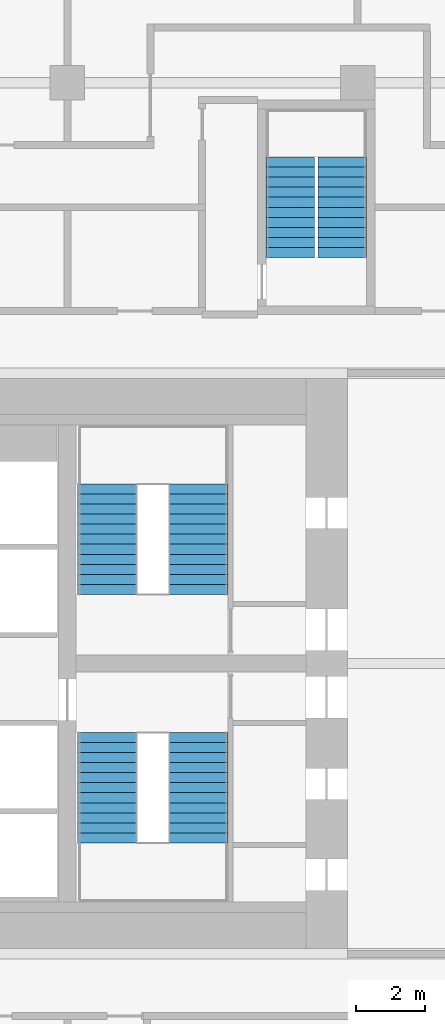
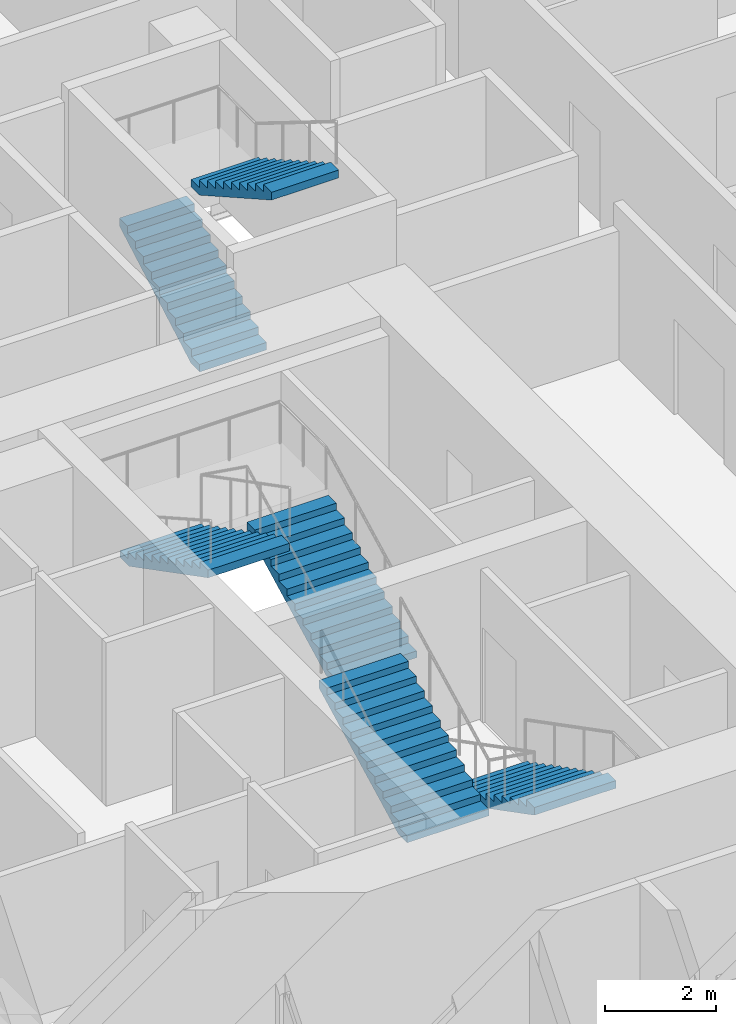
# One storey, part 24 of 26: 6 stair flights, 3 elements without a shape of their own.
"""IFC4 building model written with IfcOpenShell, lengths in metres."""

from ifc_helpers import new_model, si_unit, direction, frame, origin, place, context, subcontext, project, spatial, polyline, outline, extrude, material, type_object, element, aggregate, save


model = new_model("IFC4")

# Units and contexts
model_context = context("Model", 3, precision=1e-05, world=origin(), true_north=direction((0.0, 1.0)))
body_context = subcontext(model_context, "Body", "Model", "MODEL_VIEW")
ifc_project = project(units=[si_unit("LENGTHUNIT", "METRE"), si_unit("AREAUNIT", "SQUARE_METRE"), si_unit("VOLUMEUNIT", "CUBIC_METRE"), si_unit("PLANEANGLEUNIT", "RADIAN"), si_unit("MASSUNIT", "GRAM", prefix="KILO")], contexts=[model_context])

# Site, building, storey
site_placement = place(None, origin())
site = spatial("IfcSite", under=ifc_project, at=site_placement, CompositionType="ELEMENT")
building_placement = place(site_placement, origin())
building = spatial("IfcBuilding", under=site, at=building_placement, Name="Marenta Gate Hotel Tower", CompositionType="ELEMENT")
storey_placement = place(building_placement, frame((0.0, 0.0, 43.699951171875)))
storey = spatial("IfcBuildingStorey", under=building, at=storey_placement, Name="L08", CompositionType="ELEMENT", Elevation=43.699951171875)

# Stair, stair flights
ifc_material_1 = material(Name="Concrete C40", Category="concrete")
stair_type_1 = type_object("IfcStairType", Name="Core exit stair 1700 wide", PredefinedType="HALF_TURN_STAIR", material=ifc_material_1)
stair_1_placement = place(storey_placement, origin())
stair_1 = element("IfcStair", 1, at=stair_1_placement, inside=storey, type_object=stair_type_1, Name="Exit stair 3", PredefinedType="HALF_TURN_STAIR")
ifc_material_2 = material(Name="Concrete C40", Category="concrete")
stair_flight_type_1 = type_object("IfcStairFlightType", Name="Core stair flight 1700 riser 150.0 going 290", PredefinedType="STRAIGHT", material=ifc_material_2)
stair_flight_1_placement = place(storey_placement, frame((8.0, 6.39990234375, 0.0), z_axis=(0.0, 0.0, 1.0), x_axis=(0.0, -1.0, 0.0)))
stair_flight_1 = element("IfcStairFlight", 2, at=stair_flight_1_placement, type_object=stair_flight_type_1, Name="ST3 flight 1", NumberOfRisers=12, NumberOfTreads=11, PredefinedType="STRAIGHT", RiserHeight=0.15, TreadLength=0.29, context=body_context, shape_type="SweptSolid", body=[
    extrude(outline(polyline([(0.0, 0.0), (0.0, 0.14990234375), (0.2900390625, 0.14990234375), (0.2900390625, 0.300048828125), (0.580078125, 0.300048828125), (0.580078125, 0.449951171875), (0.8701171875, 0.449951171875), (0.8701171875, 0.60009765625), (1.159912109375, 0.60009765625), (1.159912109375, 0.75), (1.449951171875, 0.75), (1.449951171875, 0.89990234375), (1.739990234375, 0.89990234375), (1.739990234375, 1.050048828125), (2.030029296875, 1.050048828125), (2.030029296875, 1.199951171875), (2.320068359375, 1.199951171875), (2.320068359375, 1.35009765625), (2.610107421875, 1.35009765625), (2.610107421875, 1.5), (2.89990234375, 1.5), (2.89990234375, 1.64990234375), (3.18994140625, 1.64990234375), (3.18994140625, 1.800048828125), (3.18994140625, 1.481201171875), (0.326171875, 0.0), (0.0, 0.0)])), frame((0.0, 0.85009765625, 0.0), z_axis=(0.0, -1.0, 0.0), x_axis=(1.0, 0.0, 0.0)), (0.0, 0.0, 1.0), 1.699951171875),
])
stair_flight_2_placement = place(storey_placement, frame((5.35009765625, 3.2099609375, 1.800048828125), z_axis=(0.0, 0.0, 1.0), x_axis=(0.0, 1.0, 0.0)))
stair_flight_2 = element("IfcStairFlight", 3, at=stair_flight_2_placement, type_object=stair_flight_type_1, Name="ST3 flight 2", NumberOfRisers=12, NumberOfTreads=11, PredefinedType="STRAIGHT", RiserHeight=0.15, TreadLength=0.29, context=body_context, shape_type="SweptSolid", body=[
    extrude(outline(polyline([(0.0, 0.0), (0.0, 0.14990234375), (0.2900390625, 0.14990234375), (0.2900390625, 0.300048828125), (0.580078125, 0.300048828125), (0.580078125, 0.449951171875), (0.8701171875, 0.449951171875), (0.8701171875, 0.60009765625), (1.159912109375, 0.60009765625), (1.159912109375, 0.75), (1.449951171875, 0.75), (1.449951171875, 0.89990234375), (1.739990234375, 0.89990234375), (1.739990234375, 1.050048828125), (2.030029296875, 1.050048828125), (2.030029296875, 1.199951171875), (2.320068359375, 1.199951171875), (2.320068359375, 1.35009765625), (2.610107421875, 1.35009765625), (2.610107421875, 1.5), (2.89990234375, 1.5), (2.89990234375, 1.64990234375), (3.18994140625, 1.64990234375), (3.18994140625, 1.800048828125), (3.18994140625, 1.481201171875), (0.326171875, 0.0), (0.0, 0.0)])), frame((0.0, 0.85009765625, 0.0), z_axis=(0.0, -1.0, 0.0), x_axis=(1.0, 0.0, 0.0)), (0.0, 0.0, 1.0), 1.699951171875),
])
aggregate(stair_1, [stair_flight_1, stair_flight_2])

stair_2_placement = place(storey_placement, origin())
stair_2 = element("IfcStair", 4, at=stair_2_placement, inside=storey, type_object=stair_type_1, Name="Exit stair 4", PredefinedType="HALF_TURN_STAIR")
stair_flight_3_placement = place(storey_placement, frame((8.0, 10.39990234375, 0.0), z_axis=(0.0, 0.0, 1.0), x_axis=(0.0, 1.0, 0.0)))
stair_flight_3 = element("IfcStairFlight", 5, at=stair_flight_3_placement, type_object=stair_flight_type_1, Name="ST4 flight 1", NumberOfRisers=12, NumberOfTreads=11, PredefinedType="STRAIGHT", RiserHeight=0.15, TreadLength=0.29, context=body_context, shape_type="SweptSolid", body=[
    extrude(outline(polyline([(0.0, 0.0), (0.0, 0.14990234375), (0.2900390625, 0.14990234375), (0.2900390625, 0.300048828125), (0.580078125, 0.300048828125), (0.580078125, 0.449951171875), (0.8701171875, 0.449951171875), (0.8701171875, 0.60009765625), (1.159912109375, 0.60009765625), (1.159912109375, 0.75), (1.449951171875, 0.75), (1.449951171875, 0.89990234375), (1.739990234375, 0.89990234375), (1.739990234375, 1.050048828125), (2.030029296875, 1.050048828125), (2.030029296875, 1.199951171875), (2.320068359375, 1.199951171875), (2.320068359375, 1.35009765625), (2.610107421875, 1.35009765625), (2.610107421875, 1.5), (2.89990234375, 1.5), (2.89990234375, 1.64990234375), (3.18994140625, 1.64990234375), (3.18994140625, 1.800048828125), (3.18994140625, 1.481201171875), (0.326171875, 0.0), (0.0, 0.0)])), frame((0.0, 0.85009765625, 0.0), z_axis=(0.0, -1.0, 0.0), x_axis=(1.0, 0.0, 0.0)), (0.0, 0.0, 1.0), 1.699951171875),
])
stair_flight_4_placement = place(storey_placement, frame((5.35009765625, 13.590087890625, 1.800048828125), z_axis=(0.0, 0.0, 1.0), x_axis=(0.0, -1.0, 0.0)))
stair_flight_4 = element("IfcStairFlight", 6, at=stair_flight_4_placement, type_object=stair_flight_type_1, Name="ST4 flight 2", NumberOfRisers=12, NumberOfTreads=11, PredefinedType="STRAIGHT", RiserHeight=0.15, TreadLength=0.29, context=body_context, shape_type="SweptSolid", body=[
    extrude(outline(polyline([(0.0, 0.0), (0.0, 0.14990234375), (0.2900390625, 0.14990234375), (0.2900390625, 0.300048828125), (0.580078125, 0.300048828125), (0.580078125, 0.449951171875), (0.8701171875, 0.449951171875), (0.8701171875, 0.60009765625), (1.159912109375, 0.60009765625), (1.159912109375, 0.75), (1.449951171875, 0.75), (1.449951171875, 0.89990234375), (1.739990234375, 0.89990234375), (1.739990234375, 1.050048828125), (2.030029296875, 1.050048828125), (2.030029296875, 1.199951171875), (2.320068359375, 1.199951171875), (2.320068359375, 1.35009765625), (2.610107421875, 1.35009765625), (2.610107421875, 1.5), (2.89990234375, 1.5), (2.89990234375, 1.64990234375), (3.18994140625, 1.64990234375), (3.18994140625, 1.800048828125), (3.18994140625, 1.481201171875), (0.326171875, 0.0), (0.0, 0.0)])), frame((0.0, 0.85009765625, 0.0), z_axis=(0.0, -1.0, 0.0), x_axis=(1.0, 0.0, 0.0)), (0.0, 0.0, 1.0), 1.699951171875),
])
aggregate(stair_2, [stair_flight_3, stair_flight_4])

ifc_material_3 = material(Name="Concrete C40", Category="concrete")
stair_type_2 = type_object("IfcStairType", Name="Remote exit stair 1400 wide", PredefinedType="HALF_TURN_STAIR", material=ifc_material_3)
stair_3_placement = place(storey_placement, origin())
stair_3 = element("IfcStair", 7, at=stair_3_placement, inside=storey, type_object=stair_type_2, Name="Exit stair RS-Z1-4", PredefinedType="HALF_TURN_STAIR")
ifc_material_4 = material(Name="Concrete C40", Category="concrete")
stair_flight_type_2 = type_object("IfcStairFlightType", Name="Remote stair flight 1400 riser 163.6 going 290", PredefinedType="STRAIGHT", material=ifc_material_4)
stair_flight_5_placement = place(storey_placement, frame((10.64990234375, 20.14990234375, 0.0), z_axis=(0.0, 0.0, 1.0), x_axis=(0.0, 1.0, 0.0)))
stair_flight_5 = element("IfcStairFlight", 8, at=stair_flight_5_placement, type_object=stair_flight_type_2, Name="RS-Z1-4 flight 1", NumberOfRisers=11, NumberOfTreads=10, PredefinedType="STRAIGHT", RiserHeight=0.163636, TreadLength=0.29, context=body_context, shape_type="SweptSolid", body=[
    extrude(outline(polyline([(0.0, 0.0), (0.0, 0.16357421875), (0.2900390625, 0.16357421875), (0.2900390625, 0.327392578125), (0.580078125, 0.327392578125), (0.580078125, 0.490966796875), (0.8701171875, 0.490966796875), (0.8701171875, 0.654541015625), (1.159912109375, 0.654541015625), (1.159912109375, 0.818115234375), (1.449951171875, 0.818115234375), (1.449951171875, 0.98193359375), (1.739990234375, 0.98193359375), (1.739990234375, 1.1455078125), (2.030029296875, 1.1455078125), (2.030029296875, 1.30908203125), (2.320068359375, 1.30908203125), (2.320068359375, 1.47265625), (2.610107421875, 1.47265625), (2.610107421875, 1.636474609375), (2.89990234375, 1.636474609375), (2.89990234375, 1.800048828125), (2.89990234375, 1.46435546875), (0.304931640625, 0.0), (0.0, 0.0)])), frame((0.0, 0.699951171875, 0.0), z_axis=(0.0, -1.0, 0.0), x_axis=(1.0, 0.0, 0.0)), (0.0, 0.0, 1.0), 1.39990234375),
])
stair_flight_6_placement = place(storey_placement, frame((12.14990234375, 23.050048828125, 1.800048828125), z_axis=(0.0, 0.0, 1.0), x_axis=(0.0, -1.0, 0.0)))
stair_flight_6 = element("IfcStairFlight", 9, at=stair_flight_6_placement, type_object=stair_flight_type_2, Name="RS-Z1-4 flight 2", NumberOfRisers=11, NumberOfTreads=10, PredefinedType="STRAIGHT", RiserHeight=0.163636, TreadLength=0.29, context=body_context, shape_type="SweptSolid", body=[
    extrude(outline(polyline([(0.0, 0.0), (0.0, 0.16357421875), (0.2900390625, 0.16357421875), (0.2900390625, 0.327392578125), (0.580078125, 0.327392578125), (0.580078125, 0.490966796875), (0.8701171875, 0.490966796875), (0.8701171875, 0.654541015625), (1.159912109375, 0.654541015625), (1.159912109375, 0.818115234375), (1.449951171875, 0.818115234375), (1.449951171875, 0.98193359375), (1.739990234375, 0.98193359375), (1.739990234375, 1.1455078125), (2.030029296875, 1.1455078125), (2.030029296875, 1.30908203125), (2.320068359375, 1.30908203125), (2.320068359375, 1.47265625), (2.610107421875, 1.47265625), (2.610107421875, 1.636474609375), (2.89990234375, 1.636474609375), (2.89990234375, 1.800048828125), (2.89990234375, 1.46435546875), (0.304931640625, 0.0), (0.0, 0.0)])), frame((0.0, 0.699951171875, 0.0), z_axis=(0.0, -1.0, 0.0), x_axis=(1.0, 0.0, 0.0)), (0.0, 0.0, 1.0), 1.39990234375),
])
aggregate(stair_3, [stair_flight_5, stair_flight_6])

save(model, "model.ifc")
